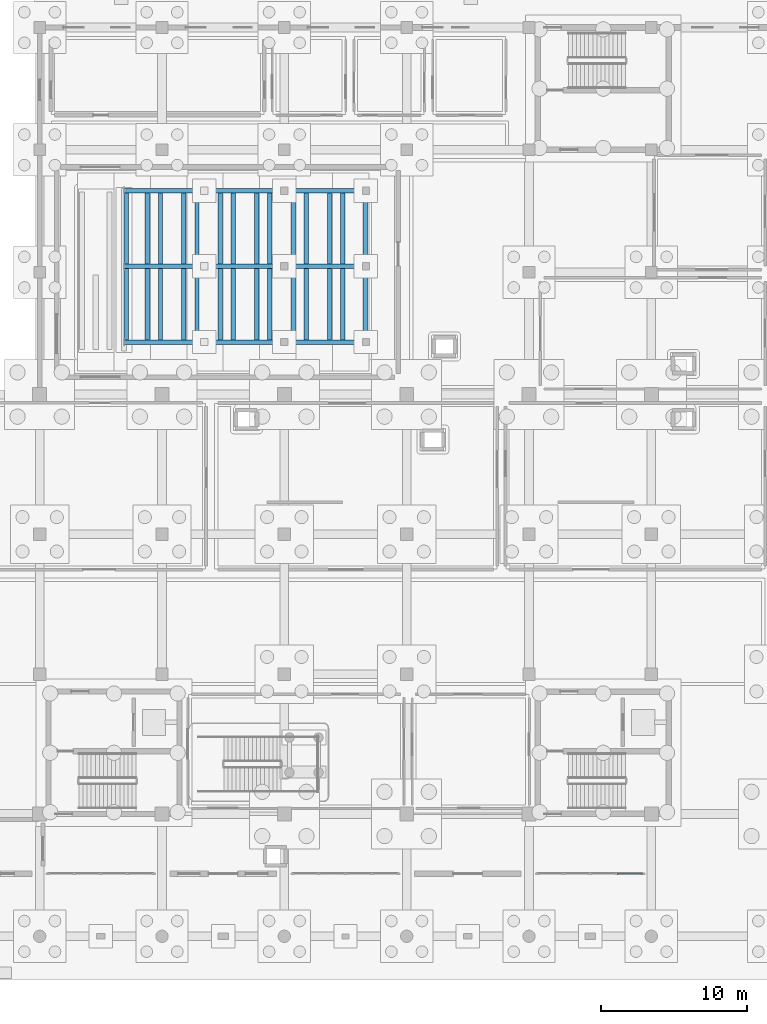
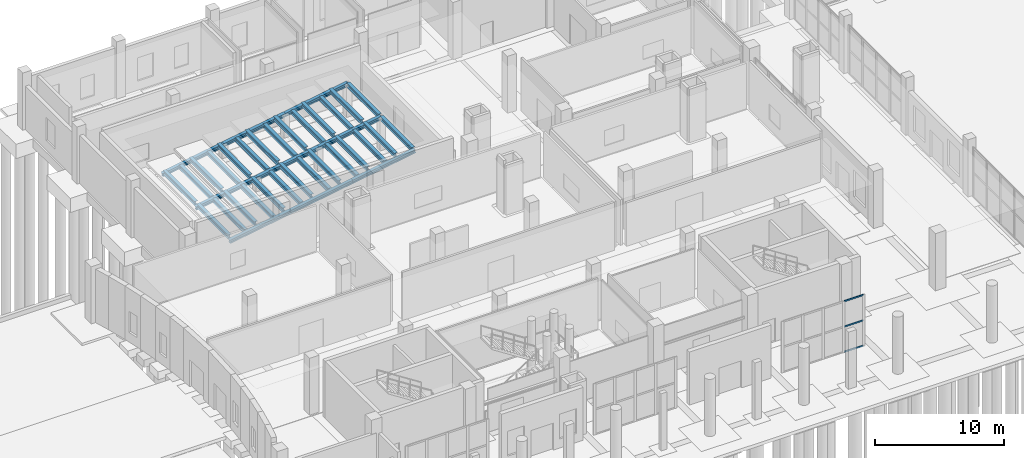
# One storey, part 13 of 65: 37 beams, 3 members, 1 element without a shape of its own.
"""IFC4 building model written with IfcOpenShell, lengths in metres."""

from ifc_helpers import new_model, si_unit, direction, frame, origin, origin_2d, place, context, subcontext, project, spatial, hollow_rectangle, i_section, extrude, material, layer, layer_set, material_profile, profile_set, type_object, element, aggregate, save


model = new_model("IFC4")

# Units and contexts
model_context = context("Model", 3, precision=1e-05, world=origin(), true_north=direction((0.0, 1.0)))
body_context = subcontext(model_context, "Body", "Model", "MODEL_VIEW")
ifc_project = project(units=[si_unit("LENGTHUNIT", "METRE"), si_unit("AREAUNIT", "SQUARE_METRE"), si_unit("VOLUMEUNIT", "CUBIC_METRE"), si_unit("PLANEANGLEUNIT", "RADIAN"), si_unit("MASSUNIT", "GRAM", prefix="KILO")], contexts=[model_context])

# Site, building, storey
site_placement = place(None, origin())
site = spatial("IfcSite", under=ifc_project, at=site_placement, CompositionType="ELEMENT")
building_placement = place(site_placement, origin())
building = spatial("IfcBuilding", under=site, at=building_placement, Name="Zulmaris Art Gallery", CompositionType="ELEMENT")
storey_placement = place(building_placement, origin())
storey = spatial("IfcBuildingStorey", under=building, at=storey_placement, Name="L00", CompositionType="ELEMENT", Elevation=0.0)

# Beams
ifc_material_1 = material(Name="Steel S355J2", Category="steel")
ifc_material_profile_1 = material_profile(ifc_material_1, i_section(OverallWidth=0.300048828125, OverallDepth=0.330078125, WebThickness=0.009521484375, FlangeThickness=0.0166015625, FilletRadius=0.027099609375, at=origin_2d()), Name="HEA 340")
ifc_profile_set_1 = profile_set([ifc_material_profile_1], Name="Steel S355J2")
beam_type_1 = type_object("IfcBeamType", Name="BEAM-BM08", PredefinedType="BEAM", material=ifc_profile_set_1)
for number, where, z_axis, x_axis, name in (
    (1, (38.199951171875, 54.0, 0.20751953125), (0.98617774887, 0.0, 0.165690819401), (0.0, 1.0, 0.0), "Auditorium front raker 1"),
    (2, (43.699951171875, 54.0, 1.131591796875), (0.98617774887, 0.0, 0.165690819401), (0.0, 1.0, 0.0), "Auditorium raker 1A"),
):
    element("IfcBeam", number, at=place(storey_placement, frame(where, z_axis=z_axis, x_axis=x_axis)), inside=storey, type_object=beam_type_1, Name=name, PredefinedType="BEAM", context=body_context, shape_type="SweptSolid", body=[
        extrude(i_section(OverallWidth=0.300048828125, OverallDepth=0.330078125, WebThickness=0.009521484375, FlangeThickness=0.0166015625, FilletRadius=0.027099609375, at=origin_2d()), origin(), (0.0, 0.0, 1.0), 5.5771484375),
    ])
beam_1_placement = place(storey_placement, frame((49.199951171875, 54.0, 2.0556640625), z_axis=(0.986183968158, 0.0, 0.16565379847), x_axis=(0.0, 1.0, 0.0)))
element("IfcBeam", 3, at=beam_1_placement, inside=storey, type_object=beam_type_1, Name="Auditorium raker 1B", PredefinedType="BEAM", context=body_context, shape_type="SweptSolid", body=[
    extrude(i_section(OverallWidth=0.300048828125, OverallDepth=0.330078125, WebThickness=0.009521484375, FlangeThickness=0.0166015625, FilletRadius=0.027099609375, at=origin_2d()), origin(), (0.0, 0.0, 1.0), 5.678466796875),
])
for number, where, z_axis, x_axis, name in (
    (4, (38.199951171875, 59.199951171875, 0.20751953125), (0.98617774887, 0.0, 0.165690819401), (0.0, 1.0, 0.0), "Auditorium front raker 2"),
    (5, (43.699951171875, 59.199951171875, 1.131591796875), (0.98617774887, 0.0, 0.165690819401), (0.0, 1.0, 0.0), "Auditorium raker 2A"),
):
    element("IfcBeam", number, at=place(storey_placement, frame(where, z_axis=z_axis, x_axis=x_axis)), inside=storey, type_object=beam_type_1, Name=name, PredefinedType="BEAM", context=body_context, shape_type="SweptSolid", body=[
        extrude(i_section(OverallWidth=0.300048828125, OverallDepth=0.330078125, WebThickness=0.009521484375, FlangeThickness=0.0166015625, FilletRadius=0.027099609375, at=origin_2d()), origin(), (0.0, 0.0, 1.0), 5.5771484375),
    ])
beam_2_placement = place(storey_placement, frame((49.199951171875, 59.199951171875, 2.0556640625), z_axis=(0.986183968158, 0.0, 0.16565379847), x_axis=(0.0, 1.0, 0.0)))
element("IfcBeam", 6, at=beam_2_placement, inside=storey, type_object=beam_type_1, Name="Auditorium raker 2B", PredefinedType="BEAM", context=body_context, shape_type="SweptSolid", body=[
    extrude(i_section(OverallWidth=0.300048828125, OverallDepth=0.330078125, WebThickness=0.009521484375, FlangeThickness=0.0166015625, FilletRadius=0.027099609375, at=origin_2d()), origin(), (0.0, 0.0, 1.0), 5.678466796875),
])
for number, where, z_axis, x_axis, name in (
    (7, (38.199951171875, 64.39990234375, 0.20751953125), (0.98617774887, 0.0, 0.165690819401), (0.0, 1.0, 0.0), "Auditorium front raker 3"),
    (8, (43.699951171875, 64.39990234375, 1.131591796875), (0.98617774887, 0.0, 0.165690819401), (0.0, 1.0, 0.0), "Auditorium raker 3A"),
):
    element("IfcBeam", number, at=place(storey_placement, frame(where, z_axis=z_axis, x_axis=x_axis)), inside=storey, type_object=beam_type_1, Name=name, PredefinedType="BEAM", context=body_context, shape_type="SweptSolid", body=[
        extrude(i_section(OverallWidth=0.300048828125, OverallDepth=0.330078125, WebThickness=0.009521484375, FlangeThickness=0.0166015625, FilletRadius=0.027099609375, at=origin_2d()), origin(), (0.0, 0.0, 1.0), 5.5771484375),
    ])
beam_3_placement = place(storey_placement, frame((49.199951171875, 64.39990234375, 2.0556640625), z_axis=(0.986183968158, 0.0, 0.16565379847), x_axis=(0.0, 1.0, 0.0)))
element("IfcBeam", 9, at=beam_3_placement, inside=storey, type_object=beam_type_1, Name="Auditorium raker 3B", PredefinedType="BEAM", context=body_context, shape_type="SweptSolid", body=[
    extrude(i_section(OverallWidth=0.300048828125, OverallDepth=0.330078125, WebThickness=0.009521484375, FlangeThickness=0.0166015625, FilletRadius=0.027099609375, at=origin_2d()), origin(), (0.0, 0.0, 1.0), 5.678466796875),
])
ifc_material_profile_2 = material_profile(ifc_material_1, i_section(OverallWidth=0.300048828125, OverallDepth=0.389892578125, WebThickness=0.010986328125, FlangeThickness=0.01904296875, FilletRadius=0.027099609375, at=origin_2d()), Name="HEA 400")
ifc_profile_set_2 = profile_set([ifc_material_profile_2], Name="Steel S355J2")
beam_type_2 = type_object("IfcBeamType", Name="BEAM-BM09", PredefinedType="BEAM", material=ifc_profile_set_2)
for number, where, z_axis, x_axis, name in (
    (10, (38.35009765625, 54.14794921875, 0.4951171875), (0.0, 1.0, 0.0), (-1.0, 0.0, 0.0), "Auditorium tier 2 south-bay bearer 1"),
    (11, (38.35009765625, 59.347900390625, 0.4951171875), (0.0, 1.0, 0.0), (-1.0, 0.0, 0.0), "Auditorium tier 2 north-bay bearer 1"),
    (12, (39.800048828125, 54.14794921875, 0.4951171875), (0.0, 1.0, 0.0), (-1.0, 0.0, 0.0), "Auditorium tier 2 south-bay bearer 2"),
    (13, (39.800048828125, 59.347900390625, 0.4951171875), (0.0, 1.0, 0.0), (-1.0, 0.0, 0.0), "Auditorium tier 2 north-bay bearer 2"),
    (14, (40.699951171875, 54.14794921875, 0.9150390625), (0.0, 1.0, 0.0), (-1.0, 0.0, 0.0), "Auditorium tier 3 south-bay bearer 1"),
    (15, (40.699951171875, 59.347900390625, 0.9150390625), (0.0, 1.0, 0.0), (-1.0, 0.0, 0.0), "Auditorium tier 3 north-bay bearer 1"),
    (16, (42.300048828125, 54.14794921875, 0.9150390625), (0.0, 1.0, 0.0), (-1.0, 0.0, 0.0), "Auditorium tier 3 south-bay bearer 2"),
    (17, (42.300048828125, 59.347900390625, 0.9150390625), (0.0, 1.0, 0.0), (-1.0, 0.0, 0.0), "Auditorium tier 3 north-bay bearer 2"),
    (18, (43.199951171875, 54.14794921875, 1.3349609375), (0.0, 1.0, 0.0), (-1.0, 0.0, 0.0), "Auditorium tier 4 south-bay bearer 1"),
    (19, (43.199951171875, 59.347900390625, 1.3349609375), (0.0, 1.0, 0.0), (-1.0, 0.0, 0.0), "Auditorium tier 4 north-bay bearer 1"),
    (20, (44.800048828125, 54.14794921875, 1.3349609375), (0.0, 1.0, 0.0), (-1.0, 0.0, 0.0), "Auditorium tier 4 south-bay bearer 2"),
    (21, (44.800048828125, 59.347900390625, 1.3349609375), (0.0, 1.0, 0.0), (-1.0, 0.0, 0.0), "Auditorium tier 4 north-bay bearer 2"),
    (22, (45.699951171875, 54.14794921875, 1.7548828125), (0.0, 1.0, 0.0), (-1.0, 0.0, 0.0), "Auditorium tier 5 south-bay bearer 1"),
    (23, (45.699951171875, 59.347900390625, 1.7548828125), (0.0, 1.0, 0.0), (-1.0, 0.0, 0.0), "Auditorium tier 5 north-bay bearer 1"),
    (24, (47.300048828125, 54.14794921875, 1.7548828125), (0.0, 1.0, 0.0), (-1.0, 0.0, 0.0), "Auditorium tier 5 south-bay bearer 2"),
    (25, (47.300048828125, 59.347900390625, 1.7548828125), (0.0, 1.0, 0.0), (-1.0, 0.0, 0.0), "Auditorium tier 5 north-bay bearer 2"),
    (26, (48.199951171875, 54.14794921875, 2.175048828125), (0.0, 1.0, 0.0), (-1.0, 0.0, 0.0), "Auditorium tier 6 south-bay bearer 1"),
    (27, (48.199951171875, 59.347900390625, 2.175048828125), (0.0, 1.0, 0.0), (-1.0, 0.0, 0.0), "Auditorium tier 6 north-bay bearer 1"),
    (28, (49.800048828125, 54.14794921875, 2.175048828125), (0.0, 1.0, 0.0), (-1.0, 0.0, 0.0), "Auditorium tier 6 south-bay bearer 2"),
    (29, (49.800048828125, 59.347900390625, 2.175048828125), (0.0, 1.0, 0.0), (-1.0, 0.0, 0.0), "Auditorium tier 6 north-bay bearer 2"),
    (30, (50.699951171875, 54.14794921875, 2.594970703125), (0.0, 1.0, 0.0), (-1.0, 0.0, 0.0), "Auditorium tier 7 south-bay bearer 1"),
    (31, (50.699951171875, 59.347900390625, 2.594970703125), (0.0, 1.0, 0.0), (-1.0, 0.0, 0.0), "Auditorium tier 7 north-bay bearer 1"),
    (32, (52.300048828125, 54.14794921875, 2.594970703125), (0.0, 1.0, 0.0), (-1.0, 0.0, 0.0), "Auditorium tier 7 south-bay bearer 2"),
    (33, (52.300048828125, 59.347900390625, 2.594970703125), (0.0, 1.0, 0.0), (-1.0, 0.0, 0.0), "Auditorium tier 7 north-bay bearer 2"),
    (34, (53.199951171875, 54.14794921875, 3.014892578125), (0.0, 1.0, 0.0), (-1.0, 0.0, 0.0), "Auditorium tier 8 south-bay bearer 1"),
    (35, (53.199951171875, 59.347900390625, 3.014892578125), (0.0, 1.0, 0.0), (-1.0, 0.0, 0.0), "Auditorium tier 8 north-bay bearer 1"),
    (36, (54.75, 54.14794921875, 3.014892578125), (0.0, 1.0, 0.0), (-1.0, 0.0, 0.0), "Auditorium tier 8 south-bay bearer 2"),
    (37, (54.75, 59.347900390625, 3.014892578125), (0.0, 1.0, 0.0), (-1.0, 0.0, 0.0), "Auditorium tier 8 north-bay bearer 2"),
):
    element("IfcBeam", number, at=place(storey_placement, frame(where, z_axis=z_axis, x_axis=x_axis)), inside=storey, type_object=beam_type_2, Name=name, PredefinedType="BEAM", context=body_context, shape_type="SweptSolid", body=[
        extrude(i_section(OverallWidth=0.300048828125, OverallDepth=0.389892578125, WebThickness=0.010986328125, FlangeThickness=0.01904296875, FilletRadius=0.027099609375, at=origin_2d()), origin(), (0.0, 0.0, 1.0), 4.904052734375),
    ])

# Curtain wall, members
ifc_material_2 = material(Name="Cloister & Court Glazed Curtain Wall", Category="aluminium")
ifc_layer = layer(ifc_material_2, 0.179931640625)
ifc_layer_set = layer_set([ifc_layer], Name="Cloister & Court Glazed Curtain Wall")
curtain_wall_type = type_object("IfcCurtainWallType", Name="CW-CW03", PredefinedType="NOTDEFINED", material=ifc_layer_set)
curtain_wall_placement = place(storey_placement, origin())
curtain_wall = element("IfcCurtainWall", 38, at=curtain_wall_placement, inside=storey, type_object=curtain_wall_type, Name="L00 curtain wall 54", PredefinedType="NOTDEFINED")
ifc_material_3 = material(Name="Anodised Bronze Aluminium", Category="aluminium")
ifc_material_profile_3 = material_profile(ifc_material_3, hollow_rectangle(XDim=0.06494140625, YDim=0.14990234375, WallThickness=0.00390625, InnerFilletRadius=0.006103515625, OuterFilletRadius=0.010009765625, at=origin_2d()), Name="ALU 65x150x4")
ifc_profile_set_3 = profile_set([ifc_material_profile_3], Name="Anodised Bronze Aluminium")
member_type = type_object("IfcMemberType", Name="CWTRN-01", PredefinedType="USERDEFINED", material=ifc_profile_set_3)
member_1_placement = place(storey_placement, frame((72.0673828125, 17.5, 0.03759765625), z_axis=(1.0, 0.0, 0.0), x_axis=(0.0, 1.0, 0.0)))
member_1 = element("IfcMember", 39, at=member_1_placement, type_object=member_type, Name="CW03 transom 4.1", ObjectType="TRANSOM", PredefinedType="USERDEFINED", context=body_context, shape_type="SweptSolid", body=[
    extrude(hollow_rectangle(XDim=0.06494140625, YDim=0.14990234375, WallThickness=0.00390625, InnerFilletRadius=0.006103515625, OuterFilletRadius=0.010009765625, at=origin_2d()), origin(), (0.0, 0.0, 1.0), 1.717529296875),
])
member_2_placement = place(storey_placement, frame((72.0673828125, 17.5, 2.425048828125), z_axis=(1.0, 0.0, 0.0), x_axis=(0.0, 1.0, 0.0)))
member_2 = element("IfcMember", 40, at=member_2_placement, type_object=member_type, Name="CW03 transom 4.2", ObjectType="TRANSOM", PredefinedType="USERDEFINED", context=body_context, shape_type="SweptSolid", body=[
    extrude(hollow_rectangle(XDim=0.06494140625, YDim=0.14990234375, WallThickness=0.00390625, InnerFilletRadius=0.006103515625, OuterFilletRadius=0.010009765625, at=origin_2d()), origin(), (0.0, 0.0, 1.0), 1.717529296875),
])
member_3_placement = place(storey_placement, frame((72.0673828125, 17.5, 4.8125), z_axis=(1.0, 0.0, 0.0), x_axis=(0.0, 1.0, 0.0)))
member_3 = element("IfcMember", 41, at=member_3_placement, type_object=member_type, Name="CW03 transom 4.3", ObjectType="TRANSOM", PredefinedType="USERDEFINED", context=body_context, shape_type="SweptSolid", body=[
    extrude(hollow_rectangle(XDim=0.06494140625, YDim=0.14990234375, WallThickness=0.00390625, InnerFilletRadius=0.006103515625, OuterFilletRadius=0.010009765625, at=origin_2d()), origin(), (0.0, 0.0, 1.0), 1.717529296875),
])
aggregate(curtain_wall, [member_1, member_2, member_3])

save(model, "model.ifc")
